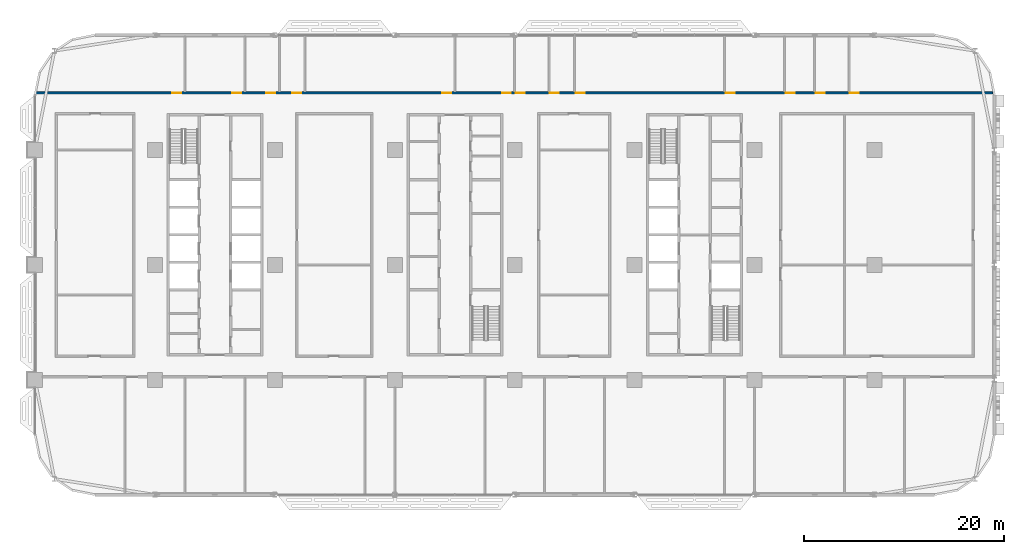
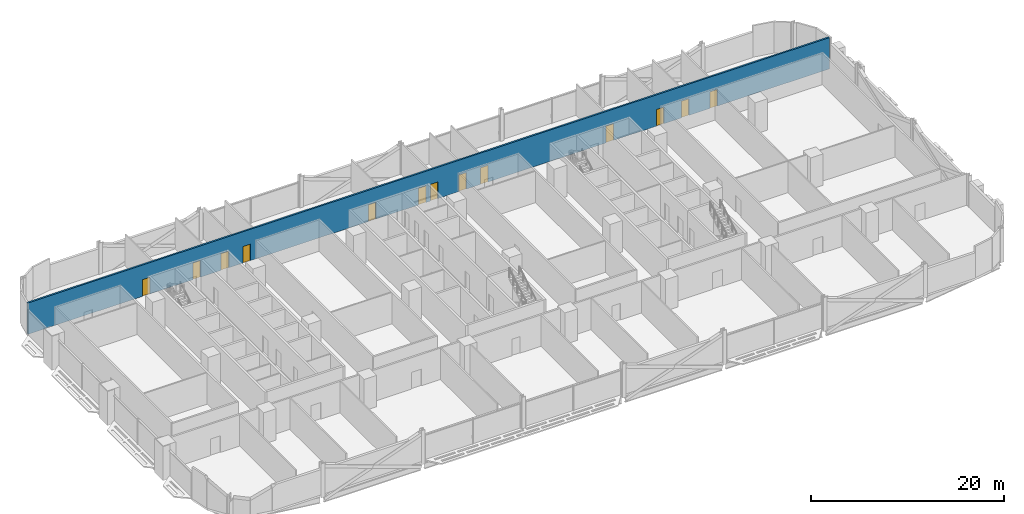
# One storey, part 15 of 29: 13 doors, 1 wall, 13 openings.
"""IFC4 building model written with IfcOpenShell, lengths in metres."""

from ifc_helpers import new_model, si_unit, direction, frame, frame_2d, origin, place, context, subcontext, project, spatial, rectangle, extrude, material, layer, layer_set, type_object, element, fill, save


model = new_model("IFC4")

# Units and contexts
model_context = context("Model", 3, precision=1e-05, world=origin(), true_north=direction((0.0, 1.0)))
body_context = subcontext(model_context, "Body", "Model", "MODEL_VIEW")
ifc_project = project(units=[si_unit("LENGTHUNIT", "METRE"), si_unit("AREAUNIT", "SQUARE_METRE"), si_unit("VOLUMEUNIT", "CUBIC_METRE"), si_unit("PLANEANGLEUNIT", "RADIAN"), si_unit("MASSUNIT", "GRAM", prefix="KILO")], contexts=[model_context])

# Site, building, storey
site_placement = place(None, origin())
site = spatial("IfcSite", under=ifc_project, at=site_placement, CompositionType="ELEMENT")
building_placement = place(site_placement, origin())
building = spatial("IfcBuilding", under=site, at=building_placement, Name="Mahtab Terrace Research Tower", CompositionType="ELEMENT")
storey_placement = place(building_placement, frame((0.0, 0.0, 71.800048828125)))
storey = spatial("IfcBuildingStorey", under=building, at=storey_placement, Name="L16", CompositionType="ELEMENT", Elevation=71.800048828125)

# Wall, openings, doors
ifc_material_1 = material(Name="Gypsum board corridor wall on steel studs", Category="steel")
ifc_layer = layer(ifc_material_1, 0.199951171875)
ifc_layer_set = layer_set([ifc_layer], Name="WALL CORRIDOR 200")
wall_type = type_object("IfcWallType", Name="WALL CORRIDOR 200", PredefinedType="PARTITIONING", material=ifc_layer_set)
wall_placement = place(storey_placement, frame((-41.97509765625, 17.199951171875, 0.0), z_axis=(0.0, 0.0, 1.0), x_axis=(1.0, 0.0, 0.0)))
wall = element("IfcWall", 1, at=wall_placement, inside=storey, type_object=wall_type, Name="L16-W024", PredefinedType="PARTITIONING", context=body_context, shape_type="SweptSolid", body=[
    extrude(rectangle(XDim=95.782470703125, YDim=0.199951171875, at=frame_2d((47.89111328125, 0.0))), origin(), (0.0, 0.0, 1.0), 3.9599609375),
])
opening_1_placement = place(wall_placement, frame((13.699951171875, 0.0, 0.0)))
opening_1 = element("IfcOpeningElement", 2, at=opening_1_placement, cuts=wall, Name="Opening L16-126", PredefinedType="OPENING", context=body_context, shape_type="SweptSolid", body=[
    extrude(rectangle(XDim=0.89990234375, YDim=2.10009765625, at=frame_2d((0.449951171875, 1.050048828125))), frame((0.0, 0.10986328125, 0.0), z_axis=(0.0, -1.0, 0.0), x_axis=(1.0, 0.0, 0.0)), (0.0, 0.0, 1.0), 0.219970703125),
])
opening_2_placement = place(wall_placement, frame((19.699951171875, 0.0, 0.0)))
opening_2 = element("IfcOpeningElement", 3, at=opening_2_placement, cuts=wall, Name="Opening L16-127", PredefinedType="OPENING", context=body_context, shape_type="SweptSolid", body=[
    extrude(rectangle(XDim=0.89990234375, YDim=2.10009765625, at=frame_2d((0.449951171875, 1.050048828125))), frame((0.0, 0.10986328125, 0.0), z_axis=(0.0, -1.0, 0.0), x_axis=(1.0, 0.0, 0.0)), (0.0, 0.0, 1.0), 0.219970703125),
])
opening_3_placement = place(wall_placement, frame((23.10009765625, 0.0, 0.0)))
opening_3 = element("IfcOpeningElement", 4, at=opening_3_placement, cuts=wall, Name="Opening L16-128", PredefinedType="OPENING", context=body_context, shape_type="SweptSolid", body=[
    extrude(rectangle(XDim=0.89990234375, YDim=2.10009765625, at=frame_2d((0.449951171875, 1.050048828125))), frame((0.0, 0.10986328125, 0.0), z_axis=(0.0, -1.0, 0.0), x_axis=(1.0, 0.0, 0.0)), (0.0, 0.0, 1.0), 0.219970703125),
])
opening_4_placement = place(wall_placement, frame((25.699951171875, 0.0, 0.0)))
opening_4 = element("IfcOpeningElement", 5, at=opening_4_placement, cuts=wall, Name="Opening L16-129", PredefinedType="OPENING", context=body_context, shape_type="SweptSolid", body=[
    extrude(rectangle(XDim=0.89990234375, YDim=2.10009765625, at=frame_2d((0.449951171875, 1.050048828125))), frame((0.0, 0.10986328125, 0.0), z_axis=(0.0, -1.0, 0.0), x_axis=(1.0, 0.0, 0.0)), (0.0, 0.0, 1.0), 0.219970703125),
])
opening_5_placement = place(wall_placement, frame((40.699951171875, 0.0, 0.0)))
opening_5 = element("IfcOpeningElement", 6, at=opening_5_placement, cuts=wall, Name="Opening L16-130", PredefinedType="OPENING", context=body_context, shape_type="SweptSolid", body=[
    extrude(rectangle(XDim=0.89990234375, YDim=2.10009765625, at=frame_2d((0.449951171875, 1.050048828125))), frame((0.0, 0.10986328125, 0.0), z_axis=(0.0, -1.0, 0.0), x_axis=(1.0, 0.0, 0.0)), (0.0, 0.0, 1.0), 0.219970703125),
])
opening_6_placement = place(wall_placement, frame((46.699951171875, 0.0, 0.0)))
opening_6 = element("IfcOpeningElement", 7, at=opening_6_placement, cuts=wall, Name="Opening L16-131", PredefinedType="OPENING", context=body_context, shape_type="SweptSolid", body=[
    extrude(rectangle(XDim=0.89990234375, YDim=2.10009765625, at=frame_2d((0.449951171875, 1.050048828125))), frame((0.0, 0.10986328125, 0.0), z_axis=(0.0, -1.0, 0.0), x_axis=(1.0, 0.0, 0.0)), (0.0, 0.0, 1.0), 0.219970703125),
])
opening_7_placement = place(wall_placement, frame((48.10009765625, 0.0, 0.0)))
opening_7 = element("IfcOpeningElement", 8, at=opening_7_placement, cuts=wall, Name="Opening L16-132", PredefinedType="OPENING", context=body_context, shape_type="SweptSolid", body=[
    extrude(rectangle(XDim=0.89990234375, YDim=2.10009765625, at=frame_2d((0.449951171875, 1.050048828125))), frame((0.0, 0.10986328125, 0.0), z_axis=(0.0, -1.0, 0.0), x_axis=(1.0, 0.0, 0.0)), (0.0, 0.0, 1.0), 0.219970703125),
])
opening_8_placement = place(wall_placement, frame((51.5, 0.0, 0.0)))
opening_8 = element("IfcOpeningElement", 9, at=opening_8_placement, cuts=wall, Name="Opening L16-133", PredefinedType="OPENING", context=body_context, shape_type="SweptSolid", body=[
    extrude(rectangle(XDim=0.89990234375, YDim=2.10009765625, at=frame_2d((0.449951171875, 1.050048828125))), frame((0.0, 0.10986328125, 0.0), z_axis=(0.0, -1.0, 0.0), x_axis=(1.0, 0.0, 0.0)), (0.0, 0.0, 1.0), 0.219970703125),
])
opening_9_placement = place(wall_placement, frame((54.10009765625, 0.0, 0.0)))
opening_9 = element("IfcOpeningElement", 10, at=opening_9_placement, cuts=wall, Name="Opening L16-134", PredefinedType="OPENING", context=body_context, shape_type="SweptSolid", body=[
    extrude(rectangle(XDim=0.89990234375, YDim=2.10009765625, at=frame_2d((0.449951171875, 1.050048828125))), frame((0.0, 0.10986328125, 0.0), z_axis=(0.0, -1.0, 0.0), x_axis=(1.0, 0.0, 0.0)), (0.0, 0.0, 1.0), 0.219970703125),
])
opening_10_placement = place(wall_placement, frame((69.10009765625, 0.0, 0.0)))
opening_10 = element("IfcOpeningElement", 11, at=opening_10_placement, cuts=wall, Name="Opening L16-135", PredefinedType="OPENING", context=body_context, shape_type="SweptSolid", body=[
    extrude(rectangle(XDim=0.89990234375, YDim=2.10009765625, at=frame_2d((0.449951171875, 1.050048828125))), frame((0.0, 0.10986328125, 0.0), z_axis=(0.0, -1.0, 0.0), x_axis=(1.0, 0.0, 0.0)), (0.0, 0.0, 1.0), 0.219970703125),
])
opening_11_placement = place(wall_placement, frame((75.10009765625, 0.0, 0.0)))
opening_11 = element("IfcOpeningElement", 12, at=opening_11_placement, cuts=wall, Name="Opening L16-136", PredefinedType="OPENING", context=body_context, shape_type="SweptSolid", body=[
    extrude(rectangle(XDim=0.89990234375, YDim=2.10009765625, at=frame_2d((0.449951171875, 1.050048828125))), frame((0.0, 0.10986328125, 0.0), z_axis=(0.0, -1.0, 0.0), x_axis=(1.0, 0.0, 0.0)), (0.0, 0.0, 1.0), 0.219970703125),
])
opening_12_placement = place(wall_placement, frame((78.10009765625, 0.0, 0.0)))
opening_12 = element("IfcOpeningElement", 13, at=opening_12_placement, cuts=wall, Name="Opening L16-137", PredefinedType="OPENING", context=body_context, shape_type="SweptSolid", body=[
    extrude(rectangle(XDim=0.89990234375, YDim=2.10009765625, at=frame_2d((0.449951171875, 1.050048828125))), frame((0.0, 0.10986328125, 0.0), z_axis=(0.0, -1.0, 0.0), x_axis=(1.0, 0.0, 0.0)), (0.0, 0.0, 1.0), 0.219970703125),
])
opening_13_placement = place(wall_placement, frame((81.5, 0.0, 0.0)))
opening_13 = element("IfcOpeningElement", 14, at=opening_13_placement, cuts=wall, Name="Opening L16-138", PredefinedType="OPENING", context=body_context, shape_type="SweptSolid", body=[
    extrude(rectangle(XDim=0.89990234375, YDim=2.10009765625, at=frame_2d((0.449951171875, 1.050048828125))), frame((0.0, 0.10986328125, 0.0), z_axis=(0.0, -1.0, 0.0), x_axis=(1.0, 0.0, 0.0)), (0.0, 0.0, 1.0), 0.219970703125),
])
ifc_material_2 = material(Name="Timber door leaf in steel frame", Category="steel")
door_type = type_object("IfcDoorType", Name="DOOR 0900X2100 FD30S", OperationType="SINGLE_SWING_LEFT", PredefinedType="DOOR", material=ifc_material_2)
door_1_placement = place(opening_1_placement, origin())
door_1 = element("IfcDoor", 15, at=door_1_placement, inside=storey, type_object=door_type, Name="Door L16-126", OperationType="SINGLE_SWING_LEFT", OverallHeight=2.10009765625, OverallWidth=0.89990234375, PredefinedType="DOOR", context=body_context, shape_type="SweptSolid", body=[
    extrude(rectangle(XDim=0.89990234375, YDim=2.10009765625, at=frame_2d((0.449951171875, 1.050048828125))), frame((0.0, 0.02490234375, 0.0), z_axis=(0.0, -1.0, 0.0), x_axis=(1.0, 0.0, 0.0)), (0.0, 0.0, 1.0), 0.050048828125),
])
fill(opening_1, door_1)
door_2_placement = place(opening_2_placement, origin())
door_2 = element("IfcDoor", 16, at=door_2_placement, inside=storey, type_object=door_type, Name="Door L16-127", OperationType="SINGLE_SWING_LEFT", OverallHeight=2.10009765625, OverallWidth=0.89990234375, PredefinedType="DOOR", context=body_context, shape_type="SweptSolid", body=[
    extrude(rectangle(XDim=0.89990234375, YDim=2.10009765625, at=frame_2d((0.449951171875, 1.050048828125))), frame((0.0, 0.02490234375, 0.0), z_axis=(0.0, -1.0, 0.0), x_axis=(1.0, 0.0, 0.0)), (0.0, 0.0, 1.0), 0.050048828125),
])
fill(opening_2, door_2)
door_3_placement = place(opening_3_placement, origin())
door_3 = element("IfcDoor", 17, at=door_3_placement, inside=storey, type_object=door_type, Name="Door L16-128", OperationType="SINGLE_SWING_LEFT", OverallHeight=2.10009765625, OverallWidth=0.89990234375, PredefinedType="DOOR", context=body_context, shape_type="SweptSolid", body=[
    extrude(rectangle(XDim=0.89990234375, YDim=2.10009765625, at=frame_2d((0.449951171875, 1.050048828125))), frame((0.0, 0.02490234375, 0.0), z_axis=(0.0, -1.0, 0.0), x_axis=(1.0, 0.0, 0.0)), (0.0, 0.0, 1.0), 0.050048828125),
])
fill(opening_3, door_3)
door_4_placement = place(opening_4_placement, origin())
door_4 = element("IfcDoor", 18, at=door_4_placement, inside=storey, type_object=door_type, Name="Door L16-129", OperationType="SINGLE_SWING_LEFT", OverallHeight=2.10009765625, OverallWidth=0.89990234375, PredefinedType="DOOR", context=body_context, shape_type="SweptSolid", body=[
    extrude(rectangle(XDim=0.89990234375, YDim=2.10009765625, at=frame_2d((0.449951171875, 1.050048828125))), frame((0.0, 0.02490234375, 0.0), z_axis=(0.0, -1.0, 0.0), x_axis=(1.0, 0.0, 0.0)), (0.0, 0.0, 1.0), 0.050048828125),
])
fill(opening_4, door_4)
door_5_placement = place(opening_5_placement, origin())
door_5 = element("IfcDoor", 19, at=door_5_placement, inside=storey, type_object=door_type, Name="Door L16-130", OperationType="SINGLE_SWING_LEFT", OverallHeight=2.10009765625, OverallWidth=0.89990234375, PredefinedType="DOOR", context=body_context, shape_type="SweptSolid", body=[
    extrude(rectangle(XDim=0.89990234375, YDim=2.10009765625, at=frame_2d((0.449951171875, 1.050048828125))), frame((0.0, 0.02490234375, 0.0), z_axis=(0.0, -1.0, 0.0), x_axis=(1.0, 0.0, 0.0)), (0.0, 0.0, 1.0), 0.050048828125),
])
fill(opening_5, door_5)
door_6_placement = place(opening_6_placement, origin())
door_6 = element("IfcDoor", 20, at=door_6_placement, inside=storey, type_object=door_type, Name="Door L16-131", OperationType="SINGLE_SWING_LEFT", OverallHeight=2.10009765625, OverallWidth=0.89990234375, PredefinedType="DOOR", context=body_context, shape_type="SweptSolid", body=[
    extrude(rectangle(XDim=0.89990234375, YDim=2.10009765625, at=frame_2d((0.449951171875, 1.050048828125))), frame((0.0, 0.02490234375, 0.0), z_axis=(0.0, -1.0, 0.0), x_axis=(1.0, 0.0, 0.0)), (0.0, 0.0, 1.0), 0.050048828125),
])
fill(opening_6, door_6)
door_7_placement = place(opening_7_placement, origin())
door_7 = element("IfcDoor", 21, at=door_7_placement, inside=storey, type_object=door_type, Name="Door L16-132", OperationType="SINGLE_SWING_RIGHT", OverallHeight=2.10009765625, OverallWidth=0.89990234375, PredefinedType="DOOR", context=body_context, shape_type="SweptSolid", body=[
    extrude(rectangle(XDim=0.89990234375, YDim=2.10009765625, at=frame_2d((0.449951171875, 1.050048828125))), frame((0.0, 0.02490234375, 0.0), z_axis=(0.0, -1.0, 0.0), x_axis=(1.0, 0.0, 0.0)), (0.0, 0.0, 1.0), 0.050048828125),
])
fill(opening_7, door_7)
door_8_placement = place(opening_8_placement, origin())
door_8 = element("IfcDoor", 22, at=door_8_placement, inside=storey, type_object=door_type, Name="Door L16-133", OperationType="SINGLE_SWING_RIGHT", OverallHeight=2.10009765625, OverallWidth=0.89990234375, PredefinedType="DOOR", context=body_context, shape_type="SweptSolid", body=[
    extrude(rectangle(XDim=0.89990234375, YDim=2.10009765625, at=frame_2d((0.449951171875, 1.050048828125))), frame((0.0, 0.02490234375, 0.0), z_axis=(0.0, -1.0, 0.0), x_axis=(1.0, 0.0, 0.0)), (0.0, 0.0, 1.0), 0.050048828125),
])
fill(opening_8, door_8)
door_9_placement = place(opening_9_placement, origin())
door_9 = element("IfcDoor", 23, at=door_9_placement, inside=storey, type_object=door_type, Name="Door L16-134", OperationType="SINGLE_SWING_RIGHT", OverallHeight=2.10009765625, OverallWidth=0.89990234375, PredefinedType="DOOR", context=body_context, shape_type="SweptSolid", body=[
    extrude(rectangle(XDim=0.89990234375, YDim=2.10009765625, at=frame_2d((0.449951171875, 1.050048828125))), frame((0.0, 0.02490234375, 0.0), z_axis=(0.0, -1.0, 0.0), x_axis=(1.0, 0.0, 0.0)), (0.0, 0.0, 1.0), 0.050048828125),
])
fill(opening_9, door_9)
door_10_placement = place(opening_10_placement, origin())
door_10 = element("IfcDoor", 24, at=door_10_placement, inside=storey, type_object=door_type, Name="Door L16-135", OperationType="SINGLE_SWING_RIGHT", OverallHeight=2.10009765625, OverallWidth=0.89990234375, PredefinedType="DOOR", context=body_context, shape_type="SweptSolid", body=[
    extrude(rectangle(XDim=0.89990234375, YDim=2.10009765625, at=frame_2d((0.449951171875, 1.050048828125))), frame((0.0, 0.02490234375, 0.0), z_axis=(0.0, -1.0, 0.0), x_axis=(1.0, 0.0, 0.0)), (0.0, 0.0, 1.0), 0.050048828125),
])
fill(opening_10, door_10)
door_11_placement = place(opening_11_placement, origin())
door_11 = element("IfcDoor", 25, at=door_11_placement, inside=storey, type_object=door_type, Name="Door L16-136", OperationType="SINGLE_SWING_RIGHT", OverallHeight=2.10009765625, OverallWidth=0.89990234375, PredefinedType="DOOR", context=body_context, shape_type="SweptSolid", body=[
    extrude(rectangle(XDim=0.89990234375, YDim=2.10009765625, at=frame_2d((0.449951171875, 1.050048828125))), frame((0.0, 0.02490234375, 0.0), z_axis=(0.0, -1.0, 0.0), x_axis=(1.0, 0.0, 0.0)), (0.0, 0.0, 1.0), 0.050048828125),
])
fill(opening_11, door_11)
door_12_placement = place(opening_12_placement, origin())
door_12 = element("IfcDoor", 26, at=door_12_placement, inside=storey, type_object=door_type, Name="Door L16-137", OperationType="SINGLE_SWING_RIGHT", OverallHeight=2.10009765625, OverallWidth=0.89990234375, PredefinedType="DOOR", context=body_context, shape_type="SweptSolid", body=[
    extrude(rectangle(XDim=0.89990234375, YDim=2.10009765625, at=frame_2d((0.449951171875, 1.050048828125))), frame((0.0, 0.02490234375, 0.0), z_axis=(0.0, -1.0, 0.0), x_axis=(1.0, 0.0, 0.0)), (0.0, 0.0, 1.0), 0.050048828125),
])
fill(opening_12, door_12)
door_13_placement = place(opening_13_placement, origin())
door_13 = element("IfcDoor", 27, at=door_13_placement, inside=storey, type_object=door_type, Name="Door L16-138", OperationType="SINGLE_SWING_RIGHT", OverallHeight=2.10009765625, OverallWidth=0.89990234375, PredefinedType="DOOR", context=body_context, shape_type="SweptSolid", body=[
    extrude(rectangle(XDim=0.89990234375, YDim=2.10009765625, at=frame_2d((0.449951171875, 1.050048828125))), frame((0.0, 0.02490234375, 0.0), z_axis=(0.0, -1.0, 0.0), x_axis=(1.0, 0.0, 0.0)), (0.0, 0.0, 1.0), 0.050048828125),
])
fill(opening_13, door_13)

save(model, "model.ifc")
